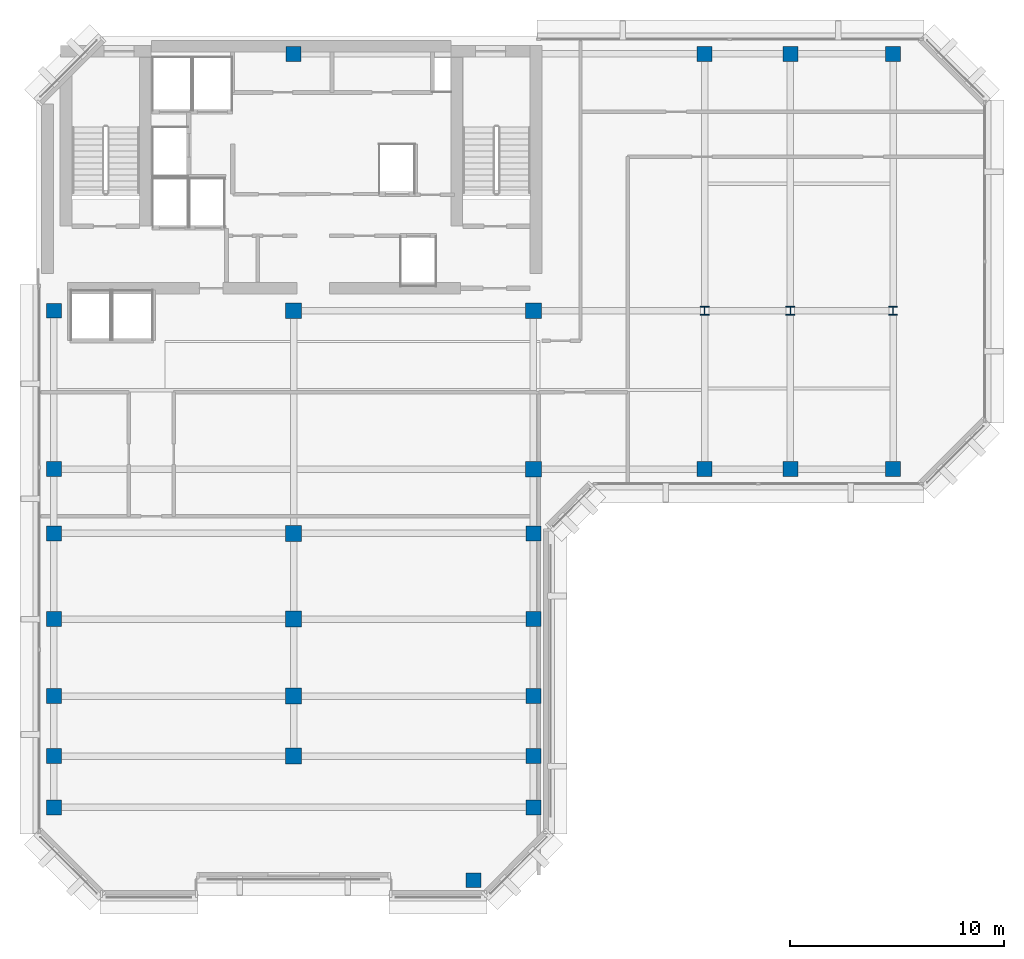
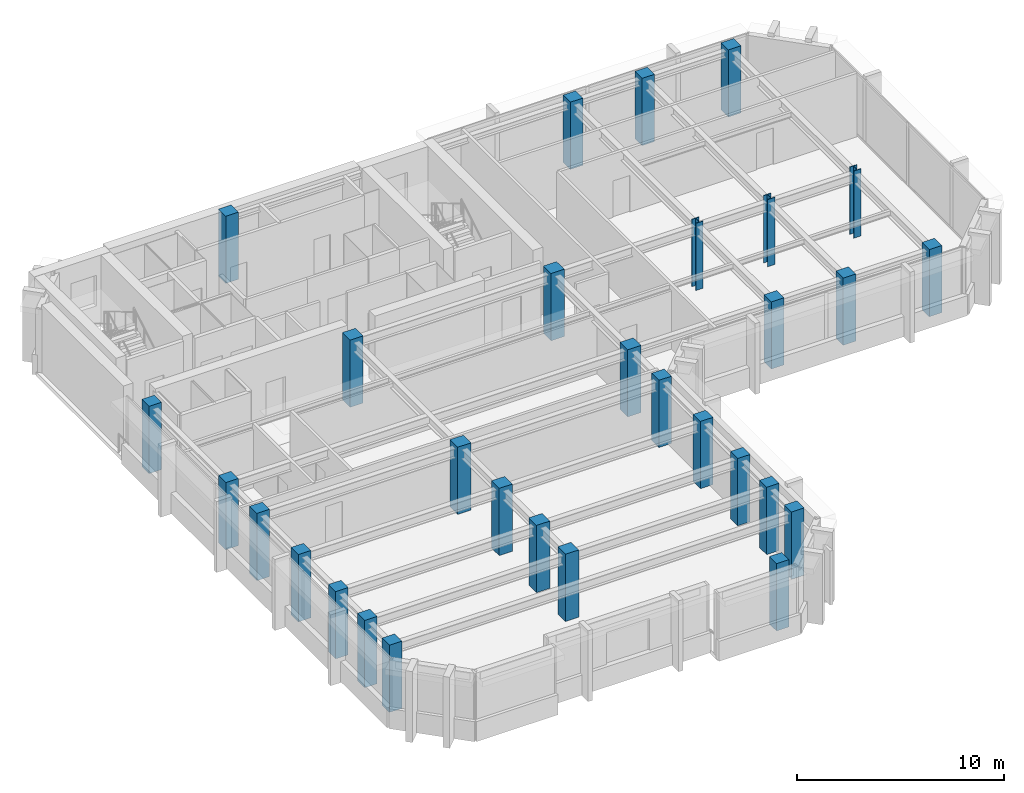
# One storey, part 1 of 12: 30 columns.
"""IFC4 building model written with IfcOpenShell, lengths in metres."""

from ifc_helpers import new_model, si_unit, direction, frame, origin, origin_2d, place, context, subcontext, project, spatial, rectangle, i_section, extrude, material, material_profile, profile_set, type_object, element, save


model = new_model("IFC4")

# Units and contexts
model_context = context("Model", 3, precision=1e-05, world=origin(), true_north=direction((0.0, 1.0)))
body_context = subcontext(model_context, "Body", "Model", "MODEL_VIEW")
ifc_project = project(units=[si_unit("LENGTHUNIT", "METRE"), si_unit("AREAUNIT", "SQUARE_METRE"), si_unit("VOLUMEUNIT", "CUBIC_METRE"), si_unit("PLANEANGLEUNIT", "RADIAN"), si_unit("MASSUNIT", "GRAM", prefix="KILO")], contexts=[model_context])

# Site, building, storey
site_placement = place(None, origin())
site = spatial("IfcSite", under=ifc_project, at=site_placement, CompositionType="ELEMENT")
building_placement = place(site_placement, origin())
building = spatial("IfcBuilding", under=site, at=building_placement, Name="Kefirva Bronze Tower", CompositionType="ELEMENT")
storey_placement = place(building_placement, frame((0.0, 0.0, 339.570068359375)))
storey = spatial("IfcBuildingStorey", under=building, at=storey_placement, Name="L83", CompositionType="ELEMENT", Elevation=339.570068359375)

# Columns
ifc_material_1 = material(Name="Concrete C50/60", Category="concrete")
ifc_material_profile_1 = material_profile(ifc_material_1, rectangle(XDim=0.699951171875, YDim=0.699951171875, at=origin_2d()), Name="RC 700x700")
ifc_profile_set_1 = profile_set([ifc_material_profile_1], Name="Concrete C50/60")
column_type_1 = type_object("IfcColumnType", Name="RC Column 700x700 Ext", PredefinedType="COLUMN", material=ifc_profile_set_1)
for number, where, z_axis, x_axis, name in (
    (1, (0.800048828125, 10.0, 0.0), (0.0, 0.0, 1.0), (1.0, 0.0, 0.0), "L83 Column C008_100"),
    (2, (0.800048828125, 12.39990234375, 0.0), (0.0, 0.0, 1.0), (1.0, 0.0, 0.0), "L83 Column C008_124"),
    (3, (0.800048828125, 15.199951171875, 0.0), (0.0, 0.0, 1.0), (1.0, 0.0, 0.0), "L83 Column C008_152"),
    (4, (0.800048828125, 18.800048828125, 0.0), (0.0, 0.0, 1.0), (1.0, 0.0, 0.0), "L83 Column C008_188"),
    (5, (0.800048828125, 22.800048828125, 0.0), (0.0, 0.0, 1.0), (1.0, 0.0, 0.0), "L83 Column C008_228"),
    (6, (0.800048828125, 25.800048828125, 0.0), (0.0, 0.0, 1.0), (1.0, 0.0, 0.0), "L83 Column C008_258"),
    (7, (0.800048828125, 33.199951171875, 0.0), (0.0, 0.0, 1.0), (1.0, 0.0, 0.0), "L83 Column C008_332"),
    (8, (12.0, 45.199951171875, 0.0), (0.0, 0.0, 1.0), (1.0, 0.0, 0.0), "L83 Column C120_452"),
    (9, (20.39990234375, 6.60009765625, 0.0), (0.0, 0.0, 1.0), (1.0, 0.0, 0.0), "L83 Column C204_066"),
    (10, (23.199951171875, 10.0, 0.0), (0.0, 0.0, 1.0), (1.0, 0.0, 0.0), "L83 Column C232_100"),
    (11, (23.199951171875, 12.39990234375, 0.0), (0.0, 0.0, 1.0), (1.0, 0.0, 0.0), "L83 Column C232_124"),
    (12, (23.199951171875, 15.199951171875, 0.0), (0.0, 0.0, 1.0), (1.0, 0.0, 0.0), "L83 Column C232_152"),
    (13, (23.199951171875, 18.800048828125, 0.0), (0.0, 0.0, 1.0), (1.0, 0.0, 0.0), "L83 Column C232_188"),
    (14, (23.199951171875, 22.800048828125, 0.0), (0.0, 0.0, 1.0), (1.0, 0.0, 0.0), "L83 Column C232_228"),
    (15, (31.199951171875, 25.800048828125, 0.0), (0.0, 0.0, 1.0), (1.0, 0.0, 0.0), "L83 Column C312_258"),
    (16, (31.199951171875, 45.199951171875, 0.0), (0.0, 0.0, 1.0), (1.0, 0.0, 0.0), "L83 Column C312_452"),
    (17, (35.199951171875, 25.800048828125, 0.0), (0.0, 0.0, 1.0), (1.0, 0.0, 0.0), "L83 Column C352_258"),
    (18, (35.199951171875, 45.199951171875, 0.0), (0.0, 0.0, 1.0), (1.0, 0.0, 0.0), "L83 Column C352_452"),
    (19, (40.0, 25.800048828125, 0.0), (0.0, 0.0, 1.0), (1.0, 0.0, 0.0), "L83 Column C400_258"),
    (20, (40.0, 45.199951171875, 0.0), (0.0, 0.0, 1.0), (1.0, 0.0, 0.0), "L83 Column C400_452"),
):
    element("IfcColumn", number, at=place(storey_placement, frame(where, z_axis=z_axis, x_axis=x_axis)), inside=storey, type_object=column_type_1, Name=name, PredefinedType="COLUMN", context=body_context, shape_type="SweptSolid", body=[
        extrude(rectangle(XDim=0.699951171875, YDim=0.699951171875, at=origin_2d()), origin(), (0.0, 0.0, 1.0), 3.9599609375),
    ])
ifc_material_profile_2 = material_profile(ifc_material_1, rectangle(XDim=0.739990234375, YDim=0.739990234375, at=origin_2d()), Name="RC 740x740")
ifc_profile_set_2 = profile_set([ifc_material_profile_2], Name="Concrete C50/60")
column_type_2 = type_object("IfcColumnType", Name="RC Column 740x740 Int", PredefinedType="COLUMN", material=ifc_profile_set_2)
for number, where, z_axis, x_axis, name in (
    (21, (12.0, 12.39990234375, 0.0), (0.0, 0.0, 1.0), (1.0, 0.0, 0.0), "L83 Column C120_124"),
    (22, (12.0, 15.199951171875, 0.0), (0.0, 0.0, 1.0), (1.0, 0.0, 0.0), "L83 Column C120_152"),
    (23, (12.0, 18.800048828125, 0.0), (0.0, 0.0, 1.0), (1.0, 0.0, 0.0), "L83 Column C120_188"),
    (24, (12.0, 22.800048828125, 0.0), (0.0, 0.0, 1.0), (1.0, 0.0, 0.0), "L83 Column C120_228"),
    (25, (12.0, 33.199951171875, 0.0), (0.0, 0.0, 1.0), (1.0, 0.0, 0.0), "L83 Column C120_332"),
    (26, (23.199951171875, 25.800048828125, 0.0), (0.0, 0.0, 1.0), (1.0, 0.0, 0.0), "L83 Column C232_258"),
    (27, (23.199951171875, 33.199951171875, 0.0), (0.0, 0.0, 1.0), (1.0, 0.0, 0.0), "L83 Column C232_332"),
):
    element("IfcColumn", number, at=place(storey_placement, frame(where, z_axis=z_axis, x_axis=x_axis)), inside=storey, type_object=column_type_2, Name=name, PredefinedType="COLUMN", context=body_context, shape_type="SweptSolid", body=[
        extrude(rectangle(XDim=0.739990234375, YDim=0.739990234375, at=origin_2d()), origin(), (0.0, 0.0, 1.0), 3.9599609375),
    ])
ifc_material_2 = material(Name="Steel S460", Category="steel")
ifc_material_profile_3 = material_profile(ifc_material_2, i_section(OverallWidth=0.406005859375, OverallDepth=0.416015625, WebThickness=0.02197265625, FlangeThickness=0.035888671875, at=origin_2d()), Name="HD 400x382")
ifc_profile_set_3 = profile_set([ifc_material_profile_3], Name="Steel S460")
column_type_3 = type_object("IfcColumnType", Name="Steel Column HD 400x382", PredefinedType="COLUMN", material=ifc_profile_set_3)
for number, where, z_axis, x_axis, name in (
    (28, (31.199951171875, 33.199951171875, 0.0), (0.0, 0.0, 1.0), (1.0, 0.0, 0.0), "L83 Column C312_332"),
    (29, (35.199951171875, 33.199951171875, 0.0), (0.0, 0.0, 1.0), (1.0, 0.0, 0.0), "L83 Column C352_332"),
    (30, (40.0, 33.199951171875, 0.0), (0.0, 0.0, 1.0), (1.0, 0.0, 0.0), "L83 Column C400_332"),
):
    element("IfcColumn", number, at=place(storey_placement, frame(where, z_axis=z_axis, x_axis=x_axis)), inside=storey, type_object=column_type_3, Name=name, PredefinedType="COLUMN", context=body_context, shape_type="SweptSolid", body=[
        extrude(i_section(OverallWidth=0.406005859375, OverallDepth=0.416015625, WebThickness=0.02197265625, FlangeThickness=0.035888671875, at=origin_2d()), origin(), (0.0, 0.0, 1.0), 3.9599609375),
    ])

save(model, "model.ifc")
